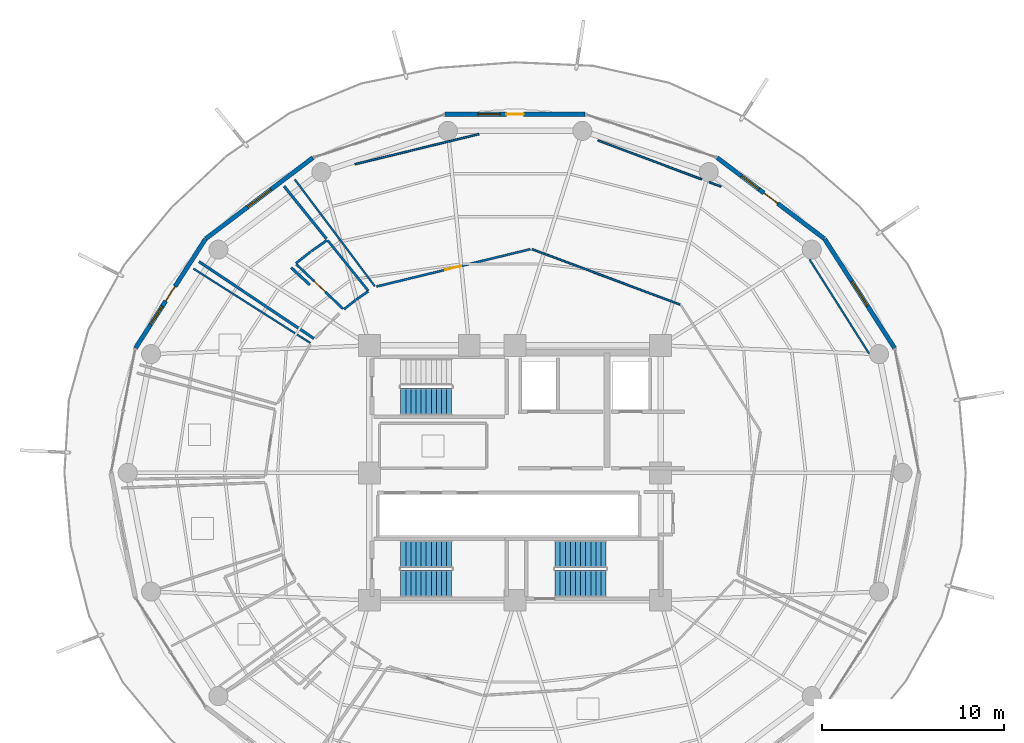
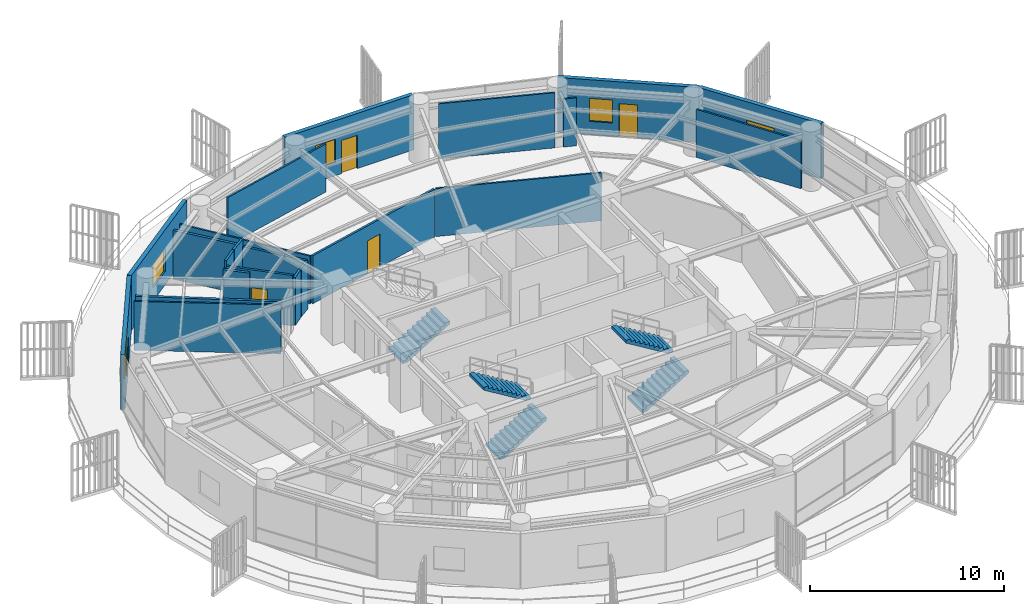
# One storey, part 25 of 30: 22 walls, 5 doors, 5 stair flights, 5 windows, 10 openings, 3 elements without a shape of their own.
"""IFC4 building model written with IfcOpenShell, lengths in metres."""

from ifc_helpers import new_model, si_unit, direction, frame, frame_2d, origin, place, context, subcontext, project, spatial, polyline, rectangle, outline, extrude, material, layer, layer_set, type_object, element, fill, aggregate, save


model = new_model("IFC4")

# Units and contexts
model_context = context("Model", 3, precision=1e-05, world=origin(), true_north=direction((0.0, 1.0)))
body_context = subcontext(model_context, "Body", "Model", "MODEL_VIEW")
ifc_project = project(units=[si_unit("LENGTHUNIT", "METRE"), si_unit("AREAUNIT", "SQUARE_METRE"), si_unit("VOLUMEUNIT", "CUBIC_METRE"), si_unit("PLANEANGLEUNIT", "RADIAN"), si_unit("MASSUNIT", "GRAM", prefix="KILO")], contexts=[model_context])

# Site, building, storey
site_placement = place(None, origin())
site = spatial("IfcSite", under=ifc_project, at=site_placement, CompositionType="ELEMENT")
building_placement = place(site_placement, origin())
building = spatial("IfcBuilding", under=site, at=building_placement, Name="Kelanora Arch Commons", CompositionType="ELEMENT")
storey_placement = place(building_placement, frame((0.0, 0.0, 208.199951171875)))
storey = spatial("IfcBuildingStorey", under=building, at=storey_placement, Name="L53", CompositionType="ELEMENT", Elevation=208.199951171875)

# Walls
ifc_material_1 = material(Name="Autoclaved aerated concrete blockwork with fire plaster", Category="masonry")
ifc_layer_1 = layer(ifc_material_1, 0.14990234375)
ifc_layer_set_1 = layer_set([ifc_layer_1], Name="Autoclaved aerated concrete blockwork with fire plaster")
wall_type_1 = type_object("IfcWallType", Name="W-COMP-150", PredefinedType="PARTITIONING", material=ifc_layer_set_1)
wall_1_placement = place(storey_placement, frame((62.95068359375, 65.382080078125, 0.0), z_axis=(0.0, 0.0, 1.0), x_axis=(-0.831079650143, 0.556153409697, 0.0)))
element("IfcWall", 1, at=wall_1_placement, inside=storey, type_object=wall_type_1, Name="Co-Living Studio L53-01 Enclosure Partition 2", PredefinedType="PARTITIONING", context=body_context, shape_type="SweptSolid", body=[
    extrude(rectangle(XDim=7.594482421875, YDim=0.14990234375, at=frame_2d((3.79736328125, 0.0))), origin(), (0.0, 0.0, 1.0), 3.074951171875),
])
wall_2_placement = place(storey_placement, frame((61.31201171875, 73.748779296875, 0.0), z_axis=(0.0, 0.0, 1.0), x_axis=(0.627090198143, -0.778946649901, 0.0)))
element("IfcWall", 2, at=wall_2_placement, inside=storey, type_object=wall_type_1, Name="Co-Living Studio L53-01 Enclosure Partition 5", PredefinedType="PARTITIONING", context=body_context, shape_type="SweptSolid", body=[
    extrude(rectangle(XDim=3.712158203125, YDim=0.14990234375, at=frame_2d((1.85595703125, 0.0))), origin(), (0.0, 0.0, 1.0), 3.074951171875),
])
wall_3_placement = place(storey_placement, frame((61.69140625, 69.281005859375, 0.0), z_axis=(0.0, 0.0, 1.0), x_axis=(0.736726740779, -0.676190586611, 0.0)))
element("IfcWall", 3, at=wall_3_placement, inside=storey, type_object=wall_type_1, Name="Co-Living Studio L53-01 Enclosure Partition 7", PredefinedType="PARTITIONING", context=body_context, shape_type="SweptSolid", body=[
    extrude(rectangle(XDim=1.3994140625, YDim=0.14990234375, at=frame_2d((0.69970703125, 0.0))), origin(), (0.0, 0.0, 1.0), 3.175048828125),
])

# Wall, opening, window
ifc_material_2 = material(Name="Precast concrete C40/50 upper-zone terracotta rainscreen", Category="masonry")
ifc_layer_2 = layer(ifc_material_2, 0.239990234375)
ifc_layer_set_2 = layer_set([ifc_layer_2], Name="Precast concrete C40/50 upper-zone terracotta rainscreen")
wall_type_2 = type_object("IfcWallType", Name="W-EXT-TC2", PredefinedType="SOLIDWALL", material=ifc_layer_set_2)
wall_4_placement = place(storey_placement, frame((94.85302734375, 64.85302734375, 0.0), z_axis=(0.0, 0.0, 1.0), x_axis=(-0.539539512973, 0.841960280501, 0.0)))
wall_4 = element("IfcWall", 4, at=wall_4_placement, inside=storey, type_object=wall_type_2, Name="Terracotta Exterior Wall L53-B01", PredefinedType="SOLIDWALL", context=body_context, shape_type="SweptSolid", body=[
    extrude(rectangle(XDim=7.11474609375, YDim=0.239990234375, at=frame_2d((3.557373046875, 0.0))), origin(), (0.0, 0.0, 1.0), 3.47509765625),
])
opening_1_placement = place(wall_4_placement, frame((2.757080078125, 0.0, 0.85009765625)))
opening_1 = element("IfcOpeningElement", 5, at=opening_1_placement, cuts=wall_4, Name="Opening WN-01", PredefinedType="OPENING", context=body_context, shape_type="SweptSolid", body=[
    extrude(rectangle(XDim=1.60009765625, YDim=1.449951171875, at=frame_2d((0.800048828125, 0.72509765625))), frame((0.0, 0.1298828125, 0.0), z_axis=(0.0, -1.0, 0.0), x_axis=(1.0, 0.0, 0.0)), (0.0, 0.0, 1.0), 0.260009765625),
])
ifc_material_3 = material(Name="Terracotta-anodised aluminium frame with operable low-E glazing", Category="masonry")
window_type_1 = type_object("IfcWindowType", Name="WIN-CL-18", PartitioningType="DOUBLE_PANEL_VERTICAL", PredefinedType="WINDOW", material=ifc_material_3)
window_1_placement = place(opening_1_placement, origin())
window_1 = element("IfcWindow", 6, at=window_1_placement, inside=storey, type_object=window_type_1, Name="Co-Living Operable Window L53-B01", OverallHeight=1.449951171875, OverallWidth=1.60009765625, PartitioningType="SINGLE_PANEL", PredefinedType="WINDOW", context=body_context, shape_type="SweptSolid", body=[
    extrude(rectangle(XDim=1.60009765625, YDim=1.449951171875, at=frame_2d((0.800048828125, 0.72509765625))), frame((0.0, 0.030029296875, 0.0), z_axis=(0.0, -1.0, 0.0), x_axis=(1.0, 0.0, 0.0)), (0.0, 0.0, 1.0), 0.06005859375),
])
fill(opening_1, window_1)

# Wall, openings, door, window
wall_5_placement = place(storey_placement, frame((90.994140625, 70.86474609375, 0.0), z_axis=(0.0, 0.0, 1.0), x_axis=(-0.797701674595, 0.603052268338, 0.0)))
wall_5 = element("IfcWall", 7, at=wall_5_placement, inside=storey, type_object=wall_type_2, Name="Terracotta Exterior Wall L53-B02", PredefinedType="SOLIDWALL", context=body_context, shape_type="SweptSolid", body=[
    extrude(rectangle(XDim=7.373779296875, YDim=0.239990234375, at=frame_2d((3.68701171875, 0.0))), origin(), (0.0, 0.0, 1.0), 3.47509765625),
])
opening_2_placement = place(wall_5_placement, frame((3.2119140625, 0.0, 0.0)))
opening_2 = element("IfcOpeningElement", 8, at=opening_2_placement, cuts=wall_5, Name="Opening DB-01", PredefinedType="OPENING", context=body_context, shape_type="SweptSolid", body=[
    extrude(rectangle(XDim=0.949951171875, YDim=2.10009765625, at=frame_2d((0.47509765625, 1.050048828125))), frame((0.0, 0.1298828125, 0.0), z_axis=(0.0, -1.0, 0.0), x_axis=(1.0, 0.0, 0.0)), (0.0, 0.0, 1.0), 0.260009765625),
])
opening_3_placement = place(wall_5_placement, frame((4.511962890625, 0.0, 0.85009765625)))
opening_3 = element("IfcOpeningElement", 9, at=opening_3_placement, cuts=wall_5, Name="Opening WN-02", PredefinedType="OPENING", context=body_context, shape_type="SweptSolid", body=[
    extrude(rectangle(XDim=1.199951171875, YDim=1.449951171875, at=frame_2d((0.60009765625, 0.72509765625))), frame((0.0, 0.1298828125, 0.0), z_axis=(0.0, -1.0, 0.0), x_axis=(1.0, 0.0, 0.0)), (0.0, 0.0, 1.0), 0.260009765625),
])
ifc_material_4 = material(Name="Terracotta-aluminium thermally broken glazed balcony door", Category="masonry")
door_type_1 = type_object("IfcDoorType", Name="D-BAL-10", OperationType="NOTDEFINED", PredefinedType="DOOR", material=ifc_material_4)
door_1_placement = place(opening_2_placement, frame((0.949951171875, 0.0, 0.0), z_axis=(0.0, 0.0, 1.0), x_axis=(-1.0, 0.0, 0.0)))
door_1 = element("IfcDoor", 10, at=door_1_placement, inside=storey, type_object=door_type_1, Name="Wave Balcony Door L53-B02", OperationType="SINGLE_SWING_RIGHT", OverallHeight=2.10009765625, OverallWidth=0.949951171875, PredefinedType="DOOR", context=body_context, shape_type="SweptSolid", body=[
    extrude(rectangle(XDim=0.949951171875, YDim=2.10009765625, at=frame_2d((0.47509765625, 1.050048828125))), frame((0.0, 0.02490234375, 0.0), z_axis=(0.0, -1.0, 0.0), x_axis=(1.0, 0.0, 0.0)), (0.0, 0.0, 1.0), 0.050048828125),
])
fill(opening_2, door_1)
ifc_material_5 = material(Name="Terracotta-anodised aluminium frame with operable awning sash", Category="masonry")
window_type_2 = type_object("IfcWindowType", Name="WIN-CL-12", PartitioningType="SINGLE_PANEL", PredefinedType="WINDOW", material=ifc_material_5)
window_2_placement = place(opening_3_placement, origin())
window_2 = element("IfcWindow", 11, at=window_2_placement, inside=storey, type_object=window_type_2, Name="Co-Living Operable Window L53-B02", OverallHeight=1.449951171875, OverallWidth=1.199951171875, PartitioningType="SINGLE_PANEL", PredefinedType="WINDOW", context=body_context, shape_type="SweptSolid", body=[
    extrude(rectangle(XDim=1.199951171875, YDim=1.449951171875, at=frame_2d((0.60009765625, 0.72509765625))), frame((0.0, 0.030029296875, 0.0), z_axis=(0.0, -1.0, 0.0), x_axis=(1.0, 0.0, 0.0)), (0.0, 0.0, 1.0), 0.06005859375),
])
fill(opening_3, window_2)

wall_6_placement = place(storey_placement, frame((77.840087890625, 77.6962890625, 0.0), z_axis=(0.0, 0.0, 1.0), x_axis=(-1.0, 0.0, 0.0)))
wall_6 = element("IfcWall", 12, at=wall_6_placement, inside=storey, type_object=wall_type_2, Name="Terracotta Exterior Wall L53-B04", PredefinedType="SOLIDWALL", context=body_context, shape_type="SweptSolid", body=[
    extrude(rectangle(XDim=7.68017578125, YDim=0.239990234375, at=frame_2d((3.840087890625, 0.0))), origin(), (0.0, 0.0, 1.0), 3.47509765625),
])
opening_4_placement = place(wall_6_placement, frame((3.364990234375, 0.0, 0.0)))
opening_4 = element("IfcOpeningElement", 13, at=opening_4_placement, cuts=wall_6, Name="Opening DB-01", PredefinedType="OPENING", context=body_context, shape_type="SweptSolid", body=[
    extrude(rectangle(XDim=0.949951171875, YDim=2.10009765625, at=frame_2d((0.47509765625, 1.050048828125))), frame((0.0, 0.1298828125, 0.0), z_axis=(0.0, -1.0, 0.0), x_axis=(1.0, 0.0, 0.0)), (0.0, 0.0, 1.0), 0.260009765625),
])
opening_5_placement = place(wall_6_placement, frame((4.6650390625, 0.0, 0.85009765625)))
opening_5 = element("IfcOpeningElement", 14, at=opening_5_placement, cuts=wall_6, Name="Opening WN-02", PredefinedType="OPENING", context=body_context, shape_type="SweptSolid", body=[
    extrude(rectangle(XDim=1.199951171875, YDim=1.449951171875, at=frame_2d((0.60009765625, 0.72509765625))), frame((0.0, 0.1298828125, 0.0), z_axis=(0.0, -1.0, 0.0), x_axis=(1.0, 0.0, 0.0)), (0.0, 0.0, 1.0), 0.260009765625),
])
door_2_placement = place(opening_4_placement, frame((0.949951171875, 0.0, 0.0), z_axis=(0.0, 0.0, 1.0), x_axis=(-1.0, 0.0, 0.0)))
door_2 = element("IfcDoor", 15, at=door_2_placement, inside=storey, type_object=door_type_1, Name="Wave Balcony Door L53-B04", OperationType="SINGLE_SWING_RIGHT", OverallHeight=2.10009765625, OverallWidth=0.949951171875, PredefinedType="DOOR", context=body_context, shape_type="SweptSolid", body=[
    extrude(rectangle(XDim=0.949951171875, YDim=2.10009765625, at=frame_2d((0.47509765625, 1.050048828125))), frame((0.0, 0.02490234375, 0.0), z_axis=(0.0, -1.0, 0.0), x_axis=(1.0, 0.0, 0.0)), (0.0, 0.0, 1.0), 0.050048828125),
])
fill(opening_4, door_2)
window_3_placement = place(opening_5_placement, origin())
window_3 = element("IfcWindow", 16, at=window_3_placement, inside=storey, type_object=window_type_2, Name="Co-Living Operable Window L53-B04", OverallHeight=1.449951171875, OverallWidth=1.199951171875, PartitioningType="SINGLE_PANEL", PredefinedType="WINDOW", context=body_context, shape_type="SweptSolid", body=[
    extrude(rectangle(XDim=1.199951171875, YDim=1.449951171875, at=frame_2d((0.60009765625, 0.72509765625))), frame((0.0, 0.030029296875, 0.0), z_axis=(0.0, -1.0, 0.0), x_axis=(1.0, 0.0, 0.0)), (0.0, 0.0, 1.0), 0.06005859375),
])
fill(opening_5, window_3)

# Wall, opening, window
wall_7_placement = place(storey_placement, frame((62.887939453125, 75.3115234375, 0.0), z_axis=(0.0, 0.0, 1.0), x_axis=(-0.797701674595, -0.603052268338, 0.0)))
wall_7 = element("IfcWall", 17, at=wall_7_placement, inside=storey, type_object=wall_type_2, Name="Terracotta Exterior Wall L53-B06", PredefinedType="SOLIDWALL", context=body_context, shape_type="SweptSolid", body=[
    extrude(rectangle(XDim=7.373779296875, YDim=0.239990234375, at=frame_2d((3.68701171875, 0.0))), origin(), (0.0, 0.0, 1.0), 3.47509765625),
])
opening_6_placement = place(wall_7_placement, frame((2.886962890625, 0.0, 0.85009765625)))
opening_6 = element("IfcOpeningElement", 18, at=opening_6_placement, cuts=wall_7, Name="Opening WN-01", PredefinedType="OPENING", context=body_context, shape_type="SweptSolid", body=[
    extrude(rectangle(XDim=1.60009765625, YDim=1.449951171875, at=frame_2d((0.800048828125, 0.72509765625))), frame((0.0, 0.1298828125, 0.0), z_axis=(0.0, -1.0, 0.0), x_axis=(1.0, 0.0, 0.0)), (0.0, 0.0, 1.0), 0.260009765625),
])
window_4_placement = place(opening_6_placement, origin())
window_4 = element("IfcWindow", 19, at=window_4_placement, inside=storey, type_object=window_type_1, Name="Co-Living Operable Window L53-B06", OverallHeight=1.449951171875, OverallWidth=1.60009765625, PartitioningType="SINGLE_PANEL", PredefinedType="WINDOW", context=body_context, shape_type="SweptSolid", body=[
    extrude(rectangle(XDim=1.60009765625, YDim=1.449951171875, at=frame_2d((0.800048828125, 0.72509765625))), frame((0.0, 0.030029296875, 0.0), z_axis=(0.0, -1.0, 0.0), x_axis=(1.0, 0.0, 0.0)), (0.0, 0.0, 1.0), 0.06005859375),
])
fill(opening_6, window_4)

# Wall, openings, door, window
wall_8_placement = place(storey_placement, frame((56.985595703125, 70.84326171875, 0.0), z_axis=(0.0, 0.0, 1.0), x_axis=(-0.539539512973, -0.841960280501, 0.0)))
wall_8 = element("IfcWall", 20, at=wall_8_placement, inside=storey, type_object=wall_type_2, Name="Terracotta Exterior Wall L53-B07", PredefinedType="SOLIDWALL", context=body_context, shape_type="SweptSolid", body=[
    extrude(rectangle(XDim=7.11474609375, YDim=0.239990234375, at=frame_2d((3.557373046875, 0.0))), origin(), (0.0, 0.0, 1.0), 3.47509765625),
])
opening_7_placement = place(wall_8_placement, frame((3.08203125, 0.0, 0.0)))
opening_7 = element("IfcOpeningElement", 21, at=opening_7_placement, cuts=wall_8, Name="Opening DB-01", PredefinedType="OPENING", context=body_context, shape_type="SweptSolid", body=[
    extrude(rectangle(XDim=0.949951171875, YDim=2.10009765625, at=frame_2d((0.47509765625, 1.050048828125))), frame((0.0, 0.1298828125, 0.0), z_axis=(0.0, -1.0, 0.0), x_axis=(1.0, 0.0, 0.0)), (0.0, 0.0, 1.0), 0.260009765625),
])
opening_8_placement = place(wall_8_placement, frame((4.382080078125, 0.0, 0.85009765625)))
opening_8 = element("IfcOpeningElement", 22, at=opening_8_placement, cuts=wall_8, Name="Opening WN-02", PredefinedType="OPENING", context=body_context, shape_type="SweptSolid", body=[
    extrude(rectangle(XDim=1.199951171875, YDim=1.449951171875, at=frame_2d((0.60009765625, 0.72509765625))), frame((0.0, 0.1298828125, 0.0), z_axis=(0.0, -1.0, 0.0), x_axis=(1.0, 0.0, 0.0)), (0.0, 0.0, 1.0), 0.260009765625),
])
door_3_placement = place(opening_7_placement, frame((0.949951171875, 0.0, 0.0), z_axis=(0.0, 0.0, 1.0), x_axis=(-1.0, 0.0, 0.0)))
door_3 = element("IfcDoor", 23, at=door_3_placement, inside=storey, type_object=door_type_1, Name="Wave Balcony Door L53-B07", OperationType="SINGLE_SWING_LEFT", OverallHeight=2.10009765625, OverallWidth=0.949951171875, PredefinedType="DOOR", context=body_context, shape_type="SweptSolid", body=[
    extrude(rectangle(XDim=0.949951171875, YDim=2.10009765625, at=frame_2d((0.47509765625, 1.050048828125))), frame((0.0, 0.02490234375, 0.0), z_axis=(0.0, -1.0, 0.0), x_axis=(1.0, 0.0, 0.0)), (0.0, 0.0, 1.0), 0.050048828125),
])
fill(opening_7, door_3)
window_5_placement = place(opening_8_placement, origin())
window_5 = element("IfcWindow", 24, at=window_5_placement, inside=storey, type_object=window_type_2, Name="Co-Living Operable Window L53-B07", OverallHeight=1.449951171875, OverallWidth=1.199951171875, PartitioningType="SINGLE_PANEL", PredefinedType="WINDOW", context=body_context, shape_type="SweptSolid", body=[
    extrude(rectangle(XDim=1.199951171875, YDim=1.449951171875, at=frame_2d((0.60009765625, 0.72509765625))), frame((0.0, 0.030029296875, 0.0), z_axis=(0.0, -1.0, 0.0), x_axis=(1.0, 0.0, 0.0)), (0.0, 0.0, 1.0), 0.06005859375),
])
fill(opening_8, window_5)

# Walls
ifc_material_6 = material(Name="Lightweight fire-rated acoustic stud partition")
ifc_layer_3 = layer(ifc_material_6, 0.10009765625)
ifc_layer_set_3 = layer_set([ifc_layer_3], Name="Lightweight fire-rated acoustic stud partition")
wall_type_3 = type_object("IfcWallType", Name="W-PART-100", PredefinedType="PARTITIONING", material=ifc_layer_set_3)
wall_9_placement = place(storey_placement, frame((83.060546875, 67.2490234375, 0.0), z_axis=(0.0, 0.0, 1.0), x_axis=(-0.936551038794, 0.350531242164, 0.0)))
element("IfcWall", 25, at=wall_9_placement, inside=storey, type_object=wall_type_3, Name="North-East Shared Cluster Kitchen L53 Enclosure Partition 3", PredefinedType="PARTITIONING", context=body_context, shape_type="SweptSolid", body=[
    extrude(rectangle(XDim=8.675537109375, YDim=0.10009765625, at=frame_2d((4.337890625, 0.0))), origin(), (0.0, 0.0, 1.0), 3.025146484375),
])
wall_10_placement = place(storey_placement, frame((66.298095703125, 68.25390625, 0.0), z_axis=(0.0, 0.0, 1.0), x_axis=(-0.599930714763, 0.80005195924, 0.0)))
element("IfcWall", 26, at=wall_10_placement, inside=storey, type_object=wall_type_3, Name="North-East Shared Cluster Kitchen L53 Enclosure Partition 5", PredefinedType="PARTITIONING", context=body_context, shape_type="SweptSolid", body=[
    extrude(rectangle(XDim=7.32958984375, YDim=0.10009765625, at=frame_2d((3.664794921875, 0.0))), origin(), (0.0, 0.0, 1.0), 3.025146484375),
])
wall_11_placement = place(storey_placement, frame((65.209228515625, 74.958984375, 0.0), z_axis=(0.0, 0.0, 1.0), x_axis=(0.971754503242, 0.235994036851, 0.0)))
element("IfcWall", 27, at=wall_11_placement, inside=storey, type_object=wall_type_3, Name="North-East Shared Cluster Kitchen L53 Enclosure Partition 6", PredefinedType="PARTITIONING", context=body_context, shape_type="SweptSolid", body=[
    extrude(rectangle(XDim=7.004638671875, YDim=0.10009765625, at=frame_2d((3.50244140625, 0.0))), origin(), (0.0, 0.0, 1.0), 3.025146484375),
])
wall_12_placement = place(storey_placement, frame((78.553955078125, 76.263916015625, 0.0), z_axis=(0.0, 0.0, 1.0), x_axis=(0.936506961486, -0.35064898558, 0.0)))
element("IfcWall", 28, at=wall_12_placement, inside=storey, type_object=wall_type_3, Name="North-East Shared Cluster Kitchen L53 Enclosure Partition 7", PredefinedType="PARTITIONING", context=body_context, shape_type="SweptSolid", body=[
    extrude(rectangle(XDim=6.0908203125, YDim=0.10009765625, at=frame_2d((3.04541015625, 0.0))), origin(), (0.0, 0.0, 1.0), 3.47998046875),
])
wall_13_placement = place(storey_placement, frame((84.668212890625, 73.974609375, 0.0), z_axis=(0.0, 0.0, 1.0), x_axis=(0.93647410615, -0.350736722499, 0.0)))
element("IfcWall", 29, at=wall_13_placement, inside=storey, type_object=wall_type_3, Name="North-East Shared Cluster Kitchen L53 Enclosure Partition 7", PredefinedType="PARTITIONING", context=body_context, shape_type="SweptSolid", body=[
    extrude(rectangle(XDim=0.69189453125, YDim=0.10009765625, at=frame_2d((0.345947265625, 0.0))), origin(), (0.0, 0.0, 1.0), 3.025146484375),
])
wall_14_placement = place(storey_placement, frame((90.1767578125, 69.728759765625, 0.0), z_axis=(0.0, 0.0, 1.0), x_axis=(0.534740598511, -0.845016267479, 0.0)))
element("IfcWall", 30, at=wall_14_placement, inside=storey, type_object=wall_type_3, Name="North-East Shared Cluster Kitchen L53 Enclosure Partition 8", PredefinedType="PARTITIONING", context=body_context, shape_type="SweptSolid", body=[
    extrude(rectangle(XDim=6.116943359375, YDim=0.10009765625, at=frame_2d((3.05859375, 0.0))), origin(), (0.0, 0.0, 1.0), 3.025146484375),
])
wall_15_placement = place(storey_placement, frame((56.328857421875, 69.221435546875, 0.0), z_axis=(0.0, 0.0, 1.0), x_axis=(0.843949218332, -0.536423076383, 0.0)))
element("IfcWall", 31, at=wall_15_placement, inside=storey, type_object=wall_type_3, Name="Shared Cluster Kitchen L53-02 Enclosure Partition 4", PredefinedType="PARTITIONING", context=body_context, shape_type="SweptSolid", body=[
    extrude(rectangle(XDim=7.61328125, YDim=0.10009765625, at=frame_2d((3.806640625, 0.0))), origin(), (0.0, 0.0, 1.0), 3.074951171875),
])

# Wall, opening, door
ifc_material_7 = material(Name="Acoustic twin-stud fire-rated gypsum partition")
ifc_layer_4 = layer(ifc_material_7, 0.1201171875)
ifc_layer_set_4 = layer_set([ifc_layer_4], Name="Acoustic twin-stud fire-rated gypsum partition")
wall_type_4 = type_object("IfcWallType", Name="W-PART-120", PredefinedType="PARTITIONING", material=ifc_layer_set_4)
wall_16_placement = place(storey_placement, frame((74.839599609375, 70.289794921875, 0.0), z_axis=(0.0, 0.0, 1.0), x_axis=(-0.971771434763, -0.235924306884, 0.0)))
wall_16 = element("IfcWall", 32, at=wall_16_placement, inside=storey, type_object=wall_type_4, Name="North-East Shared Cluster Kitchen L53 Entry Partition", PredefinedType="PARTITIONING", context=body_context, shape_type="SweptSolid", body=[
    extrude(rectangle(XDim=8.705078125, YDim=0.1201171875, at=frame_2d((4.3525390625, 0.0))), origin(), (0.0, 0.0, 1.0), 3.025146484375),
])
opening_9_placement = place(wall_16_placement, frame((3.903076171875, 0.0, 0.0)))
opening_9 = element("IfcOpeningElement", 33, at=opening_9_placement, cuts=wall_16, Name="Opening D-RM1", PredefinedType="OPENING", context=body_context, shape_type="SweptSolid", body=[
    extrude(rectangle(XDim=0.89990234375, YDim=2.080078125, at=frame_2d((0.449951171875, 1.0400390625))), frame((0.0, 0.070068359375, 0.0), z_axis=(0.0, -1.0, 0.0), x_axis=(1.0, 0.0, 0.0)), (0.0, 0.0, 1.0), 0.14013671875),
])
ifc_material_8 = material(Name="Acoustic fire-rated timber study and lounge door", Category="wood")
door_type_2 = type_object("IfcDoorType", Name="D-ROOM-90", OperationType="NOTDEFINED", PredefinedType="DOOR", material=ifc_material_8)
door_4_placement = place(opening_9_placement, origin())
door_4 = element("IfcDoor", 34, at=door_4_placement, inside=storey, type_object=door_type_2, Name="North-East Shared Cluster Kitchen L53 Door", OperationType="SINGLE_SWING_RIGHT", OverallHeight=2.080078125, OverallWidth=0.89990234375, PredefinedType="DOOR", context=body_context, shape_type="SweptSolid", body=[
    extrude(rectangle(XDim=0.89990234375, YDim=2.080078125, at=frame_2d((0.449951171875, 1.0400390625))), frame((0.0, 0.02490234375, 0.0), z_axis=(0.0, -1.0, 0.0), x_axis=(1.0, 0.0, 0.0)), (0.0, 0.0, 1.0), 0.050048828125),
])
fill(opening_9, door_4)

ifc_material_9 = material(Name="Moisture-resistant fire-rated cement-board plumbing wall")
ifc_layer_5 = layer(ifc_material_9, 0.1298828125)
ifc_layer_set_5 = layer_set([ifc_layer_5], Name="Moisture-resistant fire-rated cement-board plumbing wall")
wall_type_5 = type_object("IfcWallType", Name="W-WET-120", PredefinedType="PLUMBINGWALL", material=ifc_layer_set_5)
wall_17_placement = place(storey_placement, frame((64.544677734375, 67.018310546875, 0.0), z_axis=(0.0, 0.0, 1.0), x_axis=(-0.723495138875, 0.690329474979, 0.0)))
wall_17 = element("IfcWall", 35, at=wall_17_placement, inside=storey, type_object=wall_type_5, Name="En-Suite Shower WC L53-01 Entry Partition", PredefinedType="PLUMBINGWALL", context=body_context, shape_type="SweptSolid", body=[
    extrude(rectangle(XDim=3.533447265625, YDim=0.1298828125, at=frame_2d((1.7666015625, 0.0))), origin(), (0.0, 0.0, 1.0), 3.175048828125),
])
opening_10_placement = place(wall_17_placement, frame((1.3369140625, 0.0, 0.0)))
opening_10 = element("IfcOpeningElement", 36, at=opening_10_placement, cuts=wall_17, Name="Opening D-BT1", PredefinedType="OPENING", context=body_context, shape_type="SweptSolid", body=[
    extrude(rectangle(XDim=0.860107421875, YDim=2.050048828125, at=frame_2d((0.43017578125, 1.02490234375))), frame((0.0, 0.074951171875, 0.0), z_axis=(0.0, -1.0, 0.0), x_axis=(1.0, 0.0, 0.0)), (0.0, 0.0, 1.0), 0.14990234375),
])
ifc_material_10 = material(Name="Moisture-sealed fire-rated accessible bathroom door")
door_type_3 = type_object("IfcDoorType", Name="D-BATH-85", OperationType="NOTDEFINED", PredefinedType="DOOR", material=ifc_material_10)
door_5_placement = place(opening_10_placement, origin())
door_5 = element("IfcDoor", 37, at=door_5_placement, inside=storey, type_object=door_type_3, Name="En-Suite Shower WC L53-01 Door", OperationType="SINGLE_SWING_LEFT", OverallHeight=2.050048828125, OverallWidth=0.860107421875, PredefinedType="DOOR", context=body_context, shape_type="SweptSolid", body=[
    extrude(rectangle(XDim=0.860107421875, YDim=2.050048828125, at=frame_2d((0.43017578125, 1.02490234375))), frame((0.0, 0.02490234375, 0.0), z_axis=(0.0, -1.0, 0.0), x_axis=(1.0, 0.0, 0.0)), (0.0, 0.0, 1.0), 0.050048828125),
])
fill(opening_10, door_5)

# Walls
wall_18_placement = place(storey_placement, frame((65.9326171875, 67.9765625, 0.0), z_axis=(0.0, 0.0, 1.0), x_axis=(-0.821107527055, -0.570773535663, 0.0)))
element("IfcWall", 38, at=wall_18_placement, inside=storey, type_object=wall_type_5, Name="En-Suite Shower WC L53-01 Enclosure Partition 1", PredefinedType="PLUMBINGWALL", context=body_context, shape_type="SweptSolid", body=[
    extrude(rectangle(XDim=0.8115234375, YDim=0.1298828125, at=frame_2d((0.40576171875, 0.0))), origin(), (0.0, 0.0, 1.0), 3.025146484375),
])
wall_19_placement = place(storey_placement, frame((65.234375, 67.489501953125, 0.0), z_axis=(0.0, 0.0, 1.0), x_axis=(-0.783584251465, -0.621285538908, 0.0)))
element("IfcWall", 39, at=wall_19_placement, inside=storey, type_object=wall_type_5, Name="En-Suite Shower WC L53-01 Enclosure Partition 2", PredefinedType="PLUMBINGWALL", context=body_context, shape_type="SweptSolid", body=[
    extrude(rectangle(XDim=0.8046875, YDim=0.1298828125, at=frame_2d((0.40234375, 0.0))), origin(), (0.0, 0.0, 1.0), 3.025146484375),
])
wall_20_placement = place(storey_placement, frame((61.960693359375, 69.511474609375, 0.0), z_axis=(0.0, 0.0, 1.0), x_axis=(0.784079055359, 0.620660966186, 0.0)))
element("IfcWall", 40, at=wall_20_placement, inside=storey, type_object=wall_type_5, Name="En-Suite Shower WC L53-01 Enclosure Partition 4", PredefinedType="PLUMBINGWALL", context=body_context, shape_type="SweptSolid", body=[
    extrude(rectangle(XDim=1.042724609375, YDim=0.1298828125, at=frame_2d((0.521484375, 0.0))), origin(), (0.0, 0.0, 1.0), 3.47998046875),
])
wall_21_placement = place(storey_placement, frame((62.810302734375, 70.182373046875, 0.0), z_axis=(0.0, 0.0, 1.0), x_axis=(0.820692025527, 0.571370807127, 0.0)))
element("IfcWall", 41, at=wall_21_placement, inside=storey, type_object=wall_type_5, Name="En-Suite Shower WC L53-01 Enclosure Partition 5", PredefinedType="PLUMBINGWALL", context=body_context, shape_type="SweptSolid", body=[
    extrude(rectangle(XDim=1.05078125, YDim=0.1298828125, at=frame_2d((0.525390625, 0.0))), origin(), (0.0, 0.0, 1.0), 3.47998046875),
])
wall_22_placement = place(storey_placement, frame((63.701416015625, 70.7783203125, 0.0), z_axis=(0.0, 0.0, 1.0), x_axis=(0.627323766187, -0.778758558461, 0.0)))
element("IfcWall", 42, at=wall_22_placement, inside=storey, type_object=wall_type_5, Name="En-Suite Shower WC L53-01 Enclosure Partition 6", PredefinedType="PLUMBINGWALL", context=body_context, shape_type="SweptSolid", body=[
    extrude(rectangle(XDim=3.56298828125, YDim=0.1298828125, at=frame_2d((1.781494140625, 0.0))), origin(), (0.0, 0.0, 1.0), 3.025146484375),
])

# Stair, stair flight
ifc_material_11 = material(Name="Concrete C40/50", Category="concrete")
stair_type = type_object("IfcStairType", Name="STR-DL-375", PredefinedType="HALF_TURN_STAIR", material=ifc_material_11)
stair_1_placement = place(storey_placement, origin())
stair_1 = element("IfcStair", 43, at=stair_1_placement, inside=storey, type_object=stair_type, Name="L53 ST-T1", PredefinedType="HALF_TURN_STAIR")
stair_flight_type = type_object("IfcStairFlightType", Name="FLT-DL-375", PredefinedType="STRAIGHT", material=ifc_material_11)
stair_flight_1_placement = place(storey_placement, frame((67.719970703125, 61.919921875, 0.0), z_axis=(0.0, 0.0, 1.0), x_axis=(1.0, 0.0, 0.0)))
stair_flight_1 = element("IfcStairFlight", 44, at=stair_flight_1_placement, type_object=stair_flight_type, Name="ST-T1 flight 1", NumberOfRisers=11, NumberOfTreads=10, PredefinedType="STRAIGHT", RiserHeight=0.170454545, TreadLength=0.28, context=body_context, shape_type="SweptSolid", body=[
    extrude(outline(polyline([(0.0, 0.0), (0.0, 0.17041015625), (0.280029296875, 0.17041015625), (0.280029296875, 0.3408203125), (0.56005859375, 0.3408203125), (0.56005859375, 0.511474609375), (0.840087890625, 0.511474609375), (0.840087890625, 0.681884765625), (1.1201171875, 0.681884765625), (1.1201171875, 0.852294921875), (1.39990234375, 0.852294921875), (1.39990234375, 1.022705078125), (1.679931640625, 1.022705078125), (1.679931640625, 1.193115234375), (1.9599609375, 1.193115234375), (1.9599609375, 1.363525390625), (2.239990234375, 1.363525390625), (2.239990234375, 1.5341796875), (2.52001953125, 1.5341796875), (2.52001953125, 1.70458984375), (2.800048828125, 1.70458984375), (2.800048828125, 1.875), (2.800048828125, 1.529052734375), (0.288330078125, 0.0), (0.0, 0.0)])), frame((0.0, 0.739990234375, 0.0), z_axis=(0.0, -1.0, 0.0), x_axis=(1.0, 0.0, 0.0)), (0.0, 0.0, 1.0), 1.47998046875),
])
aggregate(stair_1, [stair_flight_1])

# Stair, stair flights
stair_2_placement = place(storey_placement, origin())
stair_2 = element("IfcStair", 45, at=stair_2_placement, inside=storey, type_object=stair_type, Name="L53 ST-T2", PredefinedType="HALF_TURN_STAIR")
stair_flight_2_placement = place(storey_placement, frame((76.199951171875, 51.919921875, 0.0), z_axis=(0.0, 0.0, 1.0), x_axis=(1.0, 0.0, 0.0)))
stair_flight_2 = element("IfcStairFlight", 46, at=stair_flight_2_placement, type_object=stair_flight_type, Name="ST-T2 flight 1", NumberOfRisers=11, NumberOfTreads=10, PredefinedType="STRAIGHT", RiserHeight=0.170454545, TreadLength=0.28, context=body_context, shape_type="SweptSolid", body=[
    extrude(outline(polyline([(0.0, 0.0), (0.0, 0.17041015625), (0.280029296875, 0.17041015625), (0.280029296875, 0.3408203125), (0.56005859375, 0.3408203125), (0.56005859375, 0.511474609375), (0.840087890625, 0.511474609375), (0.840087890625, 0.681884765625), (1.1201171875, 0.681884765625), (1.1201171875, 0.852294921875), (1.39990234375, 0.852294921875), (1.39990234375, 1.022705078125), (1.679931640625, 1.022705078125), (1.679931640625, 1.193115234375), (1.9599609375, 1.193115234375), (1.9599609375, 1.363525390625), (2.239990234375, 1.363525390625), (2.239990234375, 1.5341796875), (2.52001953125, 1.5341796875), (2.52001953125, 1.70458984375), (2.800048828125, 1.70458984375), (2.800048828125, 1.875), (2.800048828125, 1.529052734375), (0.288330078125, 0.0), (0.0, 0.0)])), frame((0.0, 0.739990234375, 0.0), z_axis=(0.0, -1.0, 0.0), x_axis=(1.0, 0.0, 0.0)), (0.0, 0.0, 1.0), 1.47998046875),
])
stair_flight_3_placement = place(storey_placement, frame((79.0, 53.550048828125, 1.875), z_axis=(0.0, 0.0, 1.0), x_axis=(-1.0, 0.0, 0.0)))
stair_flight_3 = element("IfcStairFlight", 47, at=stair_flight_3_placement, type_object=stair_flight_type, Name="ST-T2 flight 2", NumberOfRisers=11, NumberOfTreads=10, PredefinedType="STRAIGHT", RiserHeight=0.170454545, TreadLength=0.28, context=body_context, shape_type="SweptSolid", body=[
    extrude(outline(polyline([(0.0, 0.0), (0.0, 0.17041015625), (0.280029296875, 0.17041015625), (0.280029296875, 0.3408203125), (0.56005859375, 0.3408203125), (0.56005859375, 0.511474609375), (0.840087890625, 0.511474609375), (0.840087890625, 0.681884765625), (1.1201171875, 0.681884765625), (1.1201171875, 0.852294921875), (1.39990234375, 0.852294921875), (1.39990234375, 1.022705078125), (1.679931640625, 1.022705078125), (1.679931640625, 1.193115234375), (1.9599609375, 1.193115234375), (1.9599609375, 1.363525390625), (2.239990234375, 1.363525390625), (2.239990234375, 1.5341796875), (2.52001953125, 1.5341796875), (2.52001953125, 1.70458984375), (2.800048828125, 1.70458984375), (2.800048828125, 1.875), (2.800048828125, 1.529052734375), (0.288330078125, 0.0), (0.0, 0.0)])), frame((0.0, 0.739990234375, 0.0), z_axis=(0.0, -1.0, 0.0), x_axis=(1.0, 0.0, 0.0)), (0.0, 0.0, 1.0), 1.47998046875),
])
aggregate(stair_2, [stair_flight_2, stair_flight_3])

stair_3_placement = place(storey_placement, origin())
stair_3 = element("IfcStair", 48, at=stair_3_placement, inside=storey, type_object=stair_type, Name="L53 ST-T3", PredefinedType="HALF_TURN_STAIR")
stair_flight_4_placement = place(storey_placement, frame((67.719970703125, 51.919921875, 0.0), z_axis=(0.0, 0.0, 1.0), x_axis=(1.0, 0.0, 0.0)))
stair_flight_4 = element("IfcStairFlight", 49, at=stair_flight_4_placement, type_object=stair_flight_type, Name="ST-T3 flight 1", NumberOfRisers=11, NumberOfTreads=10, PredefinedType="STRAIGHT", RiserHeight=0.170454545, TreadLength=0.28, context=body_context, shape_type="SweptSolid", body=[
    extrude(outline(polyline([(0.0, 0.0), (0.0, 0.17041015625), (0.280029296875, 0.17041015625), (0.280029296875, 0.3408203125), (0.56005859375, 0.3408203125), (0.56005859375, 0.511474609375), (0.840087890625, 0.511474609375), (0.840087890625, 0.681884765625), (1.1201171875, 0.681884765625), (1.1201171875, 0.852294921875), (1.39990234375, 0.852294921875), (1.39990234375, 1.022705078125), (1.679931640625, 1.022705078125), (1.679931640625, 1.193115234375), (1.9599609375, 1.193115234375), (1.9599609375, 1.363525390625), (2.239990234375, 1.363525390625), (2.239990234375, 1.5341796875), (2.52001953125, 1.5341796875), (2.52001953125, 1.70458984375), (2.800048828125, 1.70458984375), (2.800048828125, 1.875), (2.800048828125, 1.529052734375), (0.288330078125, 0.0), (0.0, 0.0)])), frame((0.0, 0.739990234375, 0.0), z_axis=(0.0, -1.0, 0.0), x_axis=(1.0, 0.0, 0.0)), (0.0, 0.0, 1.0), 1.47998046875),
])
stair_flight_5_placement = place(storey_placement, frame((70.52001953125, 53.550048828125, 1.875), z_axis=(0.0, 0.0, 1.0), x_axis=(-1.0, 0.0, 0.0)))
stair_flight_5 = element("IfcStairFlight", 50, at=stair_flight_5_placement, type_object=stair_flight_type, Name="ST-T3 flight 2", NumberOfRisers=11, NumberOfTreads=10, PredefinedType="STRAIGHT", RiserHeight=0.170454545, TreadLength=0.28, context=body_context, shape_type="SweptSolid", body=[
    extrude(outline(polyline([(0.0, 0.0), (0.0, 0.17041015625), (0.280029296875, 0.17041015625), (0.280029296875, 0.3408203125), (0.56005859375, 0.3408203125), (0.56005859375, 0.511474609375), (0.840087890625, 0.511474609375), (0.840087890625, 0.681884765625), (1.1201171875, 0.681884765625), (1.1201171875, 0.852294921875), (1.39990234375, 0.852294921875), (1.39990234375, 1.022705078125), (1.679931640625, 1.022705078125), (1.679931640625, 1.193115234375), (1.9599609375, 1.193115234375), (1.9599609375, 1.363525390625), (2.239990234375, 1.363525390625), (2.239990234375, 1.5341796875), (2.52001953125, 1.5341796875), (2.52001953125, 1.70458984375), (2.800048828125, 1.70458984375), (2.800048828125, 1.875), (2.800048828125, 1.529052734375), (0.288330078125, 0.0), (0.0, 0.0)])), frame((0.0, 0.739990234375, 0.0), z_axis=(0.0, -1.0, 0.0), x_axis=(1.0, 0.0, 0.0)), (0.0, 0.0, 1.0), 1.47998046875),
])
aggregate(stair_3, [stair_flight_4, stair_flight_5])

save(model, "model.ifc")
